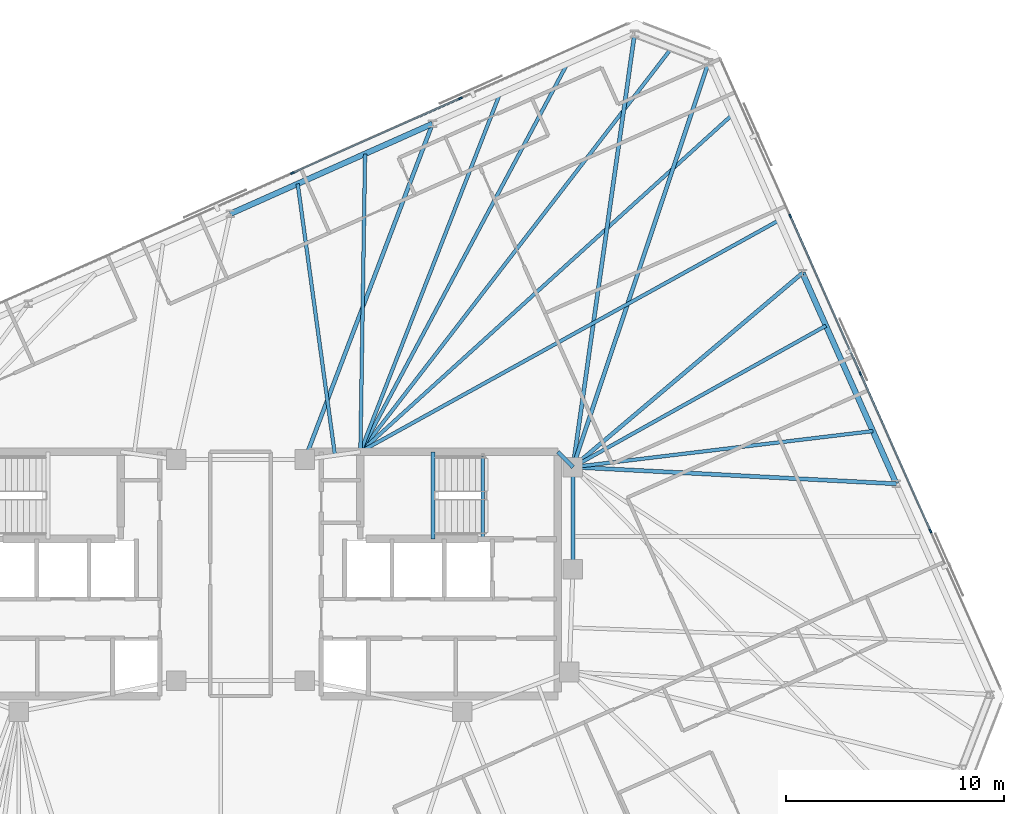
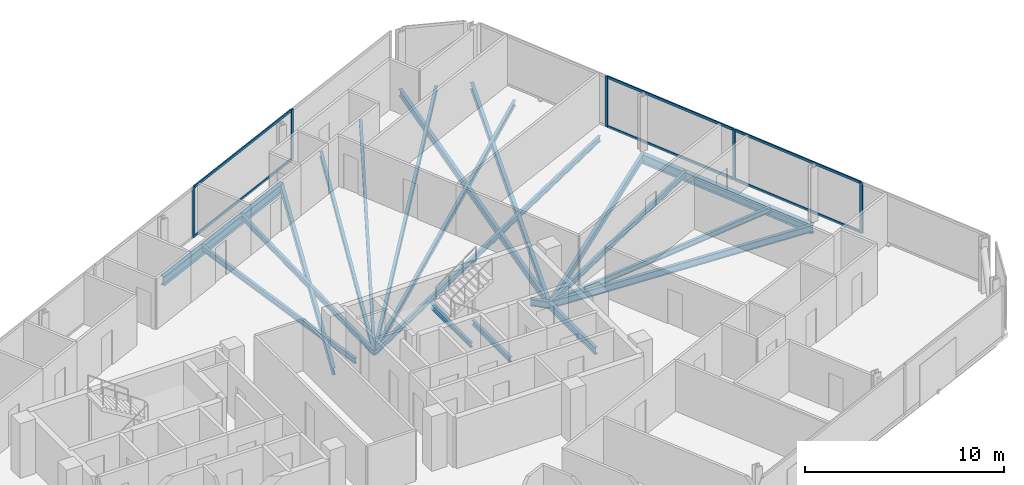
# One storey, part 10 of 18: 20 beams, 11 members, 2 elements without a shape of their own.
"""IFC4 building model written with IfcOpenShell, lengths in metres."""

from ifc_helpers import new_model, si_unit, direction, frame, origin, origin_2d, place, context, subcontext, project, spatial, rectangle, i_section, extrude, material, material_profile, profile_set, type_object, element, aggregate, save


model = new_model("IFC4")

# Units and contexts
model_context = context("Model", 3, precision=1e-05, world=origin(), true_north=direction((0.0, 1.0)))
body_context = subcontext(model_context, "Body", "Model", "MODEL_VIEW")
ifc_project = project(units=[si_unit("LENGTHUNIT", "METRE"), si_unit("AREAUNIT", "SQUARE_METRE"), si_unit("VOLUMEUNIT", "CUBIC_METRE"), si_unit("PLANEANGLEUNIT", "RADIAN"), si_unit("MASSUNIT", "GRAM", prefix="KILO")], contexts=[model_context])

# Site, building, storey
site_placement = place(None, origin())
site = spatial("IfcSite", under=ifc_project, at=site_placement, CompositionType="ELEMENT")
building_placement = place(site_placement, origin())
building = spatial("IfcBuilding", under=site, at=building_placement, Name="Menara Jurai Vektor", CompositionType="ELEMENT")
storey_placement = place(building_placement, frame((0.0, 0.0, 272.25)))
storey = spatial("IfcBuildingStorey", under=building, at=storey_placement, Name="L73", CompositionType="ELEMENT", Elevation=272.25)

# Curtain wall, members
ifc_material_1 = material(Name="Anodised Pale Aluminium & Low-E Double Glazing", Category="aluminium")
curtain_wall_type = type_object("IfcCurtainWallType", Name="CW-BLK5", PredefinedType="NOTDEFINED", material=ifc_material_1)
curtain_wall_1_placement = place(storey_placement, origin())
curtain_wall_1 = element("IfcCurtainWall", 1, at=curtain_wall_1_placement, inside=storey, type_object=curtain_wall_type, Name="Unitised Curtain Wall L73 F03", PredefinedType="NOTDEFINED")
ifc_material_2 = material(Name="Anodised Pale Aluminium Mullion", Category="aluminium")
ifc_material_profile_1 = material_profile(ifc_material_2, rectangle(XDim=0.074951171875, YDim=0.175048828125, at=origin_2d()), Name="ALU MUL 75x175")
ifc_profile_set_1 = profile_set([ifc_material_profile_1], Name="Anodised Pale Aluminium Mullion")
member_type_1 = type_object("IfcMemberType", Name="CW-BLK5-MUL", PredefinedType="MULLION", material=ifc_profile_set_1)
member_1_placement = place(storey_placement, frame((31.6533203125, 1.9658203125, 0.0), z_axis=(0.0, 0.0, 1.0), x_axis=(-0.913546127706, -0.406735138086, 0.0)))
member_1 = element("IfcMember", 2, at=member_1_placement, type_object=member_type_1, Name="CW-05 mullion 2", PredefinedType="MULLION", context=body_context, shape_type="SweptSolid", body=[
    extrude(rectangle(XDim=0.074951171875, YDim=0.175048828125, at=origin_2d()), origin(), (0.0, 0.0, 1.0), 3.10009765625),
])
member_2_placement = place(storey_placement, frame((28.43603515625, 9.19189453125, 0.0), z_axis=(0.0, 0.0, 1.0), x_axis=(-0.913546127706, -0.406735138086, 0.0)))
member_2 = element("IfcMember", 3, at=member_2_placement, type_object=member_type_1, Name="CW-05 mullion 3", PredefinedType="MULLION", context=body_context, shape_type="SweptSolid", body=[
    extrude(rectangle(XDim=0.074951171875, YDim=0.175048828125, at=origin_2d()), origin(), (0.0, 0.0, 1.0), 3.10009765625),
])
member_3_placement = place(storey_placement, frame((25.21875, 16.418212890625, 0.0), z_axis=(0.0, 0.0, 1.0), x_axis=(-0.913546127706, -0.406735138086, 0.0)))
member_3 = element("IfcMember", 4, at=member_3_placement, type_object=member_type_1, Name="CW-05 mullion 4", PredefinedType="MULLION", context=body_context, shape_type="SweptSolid", body=[
    extrude(rectangle(XDim=0.074951171875, YDim=0.175048828125, at=origin_2d()), origin(), (0.0, 0.0, 1.0), 3.10009765625),
])

curtain_wall_2_placement = place(storey_placement, origin())
curtain_wall_2 = element("IfcCurtainWall", 5, at=curtain_wall_2_placement, inside=storey, type_object=curtain_wall_type, Name="Unitised Curtain Wall L73 F05", PredefinedType="NOTDEFINED")
member_4_placement = place(storey_placement, frame((10.0927734375, 21.822998046875, 0.0), z_axis=(0.0, 0.0, 1.0), x_axis=(0.406735498684, -0.913545967158, 0.0)))
member_4 = element("IfcMember", 6, at=member_4_placement, type_object=member_type_1, Name="CW-05 mullion 2", PredefinedType="MULLION", context=body_context, shape_type="SweptSolid", body=[
    extrude(rectangle(XDim=0.074951171875, YDim=0.175048828125, at=origin_2d()), origin(), (0.0, 0.0, 1.0), 3.10009765625),
])
member_5_placement = place(storey_placement, frame((2.38232421875, 18.39013671875, 0.0), z_axis=(0.0, 0.0, 1.0), x_axis=(0.406735498684, -0.913545967158, 0.0)))
member_5 = element("IfcMember", 7, at=member_5_placement, type_object=member_type_1, Name="CW-05 mullion 3", PredefinedType="MULLION", context=body_context, shape_type="SweptSolid", body=[
    extrude(rectangle(XDim=0.074951171875, YDim=0.175048828125, at=origin_2d()), origin(), (0.0, 0.0, 1.0), 3.10009765625),
])

# Member
ifc_material_3 = material(Name="Anodised Pale Aluminium Transom", Category="aluminium")
ifc_material_profile_2 = material_profile(ifc_material_3, rectangle(XDim=0.074951171875, YDim=0.155029296875, at=origin_2d()), Name="ALU TRN 75x155")
ifc_profile_set_2 = profile_set([ifc_material_profile_2], Name="Anodised Pale Aluminium Transom")
member_type_2 = type_object("IfcMemberType", Name="CW-BLK5-TRN", PredefinedType="USERDEFINED", material=ifc_profile_set_2)
member_6_placement = place(storey_placement, frame((31.63818359375, 2.0, 0.03759765625), z_axis=(-0.406731062496, 0.913547942256, 0.0), x_axis=(-0.913547942256, -0.406731062496, 0.0)))
member_6 = element("IfcMember", 8, at=member_6_placement, type_object=member_type_2, Name="CW-05 transom 2.1", ObjectType="TRANSOM", PredefinedType="USERDEFINED", context=body_context, shape_type="SweptSolid", body=[
    extrude(rectangle(XDim=0.074951171875, YDim=0.155029296875, at=origin_2d()), origin(), (0.0, 0.0, 1.0), 7.8349609375),
])

member_7_placement = place(storey_placement, frame((31.63818359375, 2.0, 3.0625), z_axis=(-0.406731062496, 0.913547942256, 0.0), x_axis=(-0.913547942256, -0.406731062496, 0.0)))
member_7 = element("IfcMember", 9, at=member_7_placement, type_object=member_type_2, Name="CW-05 transom 2.2", ObjectType="TRANSOM", PredefinedType="USERDEFINED", context=body_context, shape_type="SweptSolid", body=[
    extrude(rectangle(XDim=0.074951171875, YDim=0.155029296875, at=origin_2d()), origin(), (0.0, 0.0, 1.0), 7.8349609375),
])

member_8_placement = place(storey_placement, frame((28.4208984375, 9.226318359375, 0.03759765625), z_axis=(-0.40674264085, 0.913542787238, 0.0), x_axis=(-0.913542787238, -0.40674264085, 0.0)))
member_8 = element("IfcMember", 10, at=member_8_placement, type_object=member_type_2, Name="CW-05 transom 3.1", ObjectType="TRANSOM", PredefinedType="USERDEFINED", context=body_context, shape_type="SweptSolid", body=[
    extrude(rectangle(XDim=0.074951171875, YDim=0.155029296875, at=origin_2d()), origin(), (0.0, 0.0, 1.0), 7.8349609375),
])

member_9_placement = place(storey_placement, frame((28.4208984375, 9.226318359375, 3.0625), z_axis=(-0.40674264085, 0.913542787238, 0.0), x_axis=(-0.913542787238, -0.40674264085, 0.0)))
member_9 = element("IfcMember", 11, at=member_9_placement, type_object=member_type_2, Name="CW-05 transom 3.2", ObjectType="TRANSOM", PredefinedType="USERDEFINED", context=body_context, shape_type="SweptSolid", body=[
    extrude(rectangle(XDim=0.074951171875, YDim=0.155029296875, at=origin_2d()), origin(), (0.0, 0.0, 1.0), 7.8349609375),
])

aggregate(curtain_wall_1, [member_1, member_2, member_3, member_6, member_7, member_8, member_9])

member_10_placement = place(storey_placement, frame((10.058349609375, 21.807861328125, 0.03759765625), z_axis=(-0.913546575494, -0.406734132331, 0.0), x_axis=(0.406734132331, -0.913546575494, 0.0)))
member_10 = element("IfcMember", 12, at=member_10_placement, type_object=member_type_2, Name="CW-05 transom 2.1", ObjectType="TRANSOM", PredefinedType="USERDEFINED", context=body_context, shape_type="SweptSolid", body=[
    extrude(rectangle(XDim=0.074951171875, YDim=0.155029296875, at=origin_2d()), origin(), (0.0, 0.0, 1.0), 8.364990234375),
])

member_11_placement = place(storey_placement, frame((10.058349609375, 21.807861328125, 3.0625), z_axis=(-0.913546575494, -0.406734132331, 0.0), x_axis=(0.406734132331, -0.913546575494, 0.0)))
member_11 = element("IfcMember", 13, at=member_11_placement, type_object=member_type_2, Name="CW-05 transom 2.2", ObjectType="TRANSOM", PredefinedType="USERDEFINED", context=body_context, shape_type="SweptSolid", body=[
    extrude(rectangle(XDim=0.074951171875, YDim=0.155029296875, at=origin_2d()), origin(), (0.0, 0.0, 1.0), 8.364990234375),
])

aggregate(curtain_wall_2, [member_4, member_5, member_10, member_11])

# Beams
ifc_material_4 = material(Name="Steel S355", Category="steel")
ifc_material_profile_3 = material_profile(ifc_material_4, i_section(OverallWidth=0.18505859375, OverallDepth=0.429931640625, WebThickness=0.010986328125, FlangeThickness=0.01806640625, at=origin_2d()), Name="PG 430x185x76")
ifc_profile_set_3 = profile_set([ifc_material_profile_3], Name="Steel S355")
beam_type_1 = type_object("IfcBeamType", Name="STR-BM-430", PredefinedType="BEAM", material=ifc_profile_set_3)
beam_1_placement = place(storey_placement, frame((14.56005859375, 5.60009765625, -0.43994140625), z_axis=(0.701871936926, -0.712303154672, 0.0), x_axis=(0.712303154672, 0.701871936926, 0.0)))
element("IfcBeam", 14, at=beam_1_placement, inside=storey, type_object=beam_type_1, Name="Core Ring Header Girder L73-CHE-N2", PredefinedType="BEAM", context=body_context, shape_type="SweptSolid", body=[
    extrude(i_section(OverallWidth=0.18505859375, OverallDepth=0.429931640625, WebThickness=0.010986328125, FlangeThickness=0.01806640625, at=origin_2d()), origin(), (0.0, 0.0, 1.0), 0.98291015625),
])
beam_2_placement = place(storey_placement, frame((15.25, 0.219970703125, -0.43994140625), z_axis=(0.0, 1.0, 0.0), x_axis=(-1.0, 0.0, 0.0)))
element("IfcBeam", 15, at=beam_2_placement, inside=storey, type_object=beam_type_1, Name="Core Ring Header Girder L73-CHE-E1", PredefinedType="BEAM", context=body_context, shape_type="SweptSolid", body=[
    extrude(i_section(OverallWidth=0.18505859375, OverallDepth=0.429931640625, WebThickness=0.010986328125, FlangeThickness=0.01806640625, at=origin_2d()), origin(), (0.0, 0.0, 1.0), 4.679931640625),
])
beam_3_placement = place(storey_placement, frame((30.086181640625, 4.13330078125, -0.43994140625), z_axis=(-0.998667716832, 0.051602241782, 0.0), x_axis=(-0.051602241782, -0.998667716832, 0.0)))
element("IfcBeam", 16, at=beam_3_placement, inside=storey, type_object=beam_type_1, Name="Radial Floor Girder L73-E2", PredefinedType="BEAM", context=body_context, shape_type="SweptSolid", body=[
    extrude(i_section(OverallWidth=0.18505859375, OverallDepth=0.429931640625, WebThickness=0.010986328125, FlangeThickness=0.01806640625, at=origin_2d()), origin(), (0.0, 0.0, 1.0), 14.85595703125),
])
beam_4_placement = place(storey_placement, frame((25.781005859375, 13.80322265625, -0.43994140625), z_axis=(-0.763655500673, -0.6456239434, 0.0), x_axis=(0.6456239434, -0.763655500673, 0.0)))
element("IfcBeam", 17, at=beam_4_placement, inside=storey, type_object=beam_type_1, Name="Radial Floor Girder L73-E3", PredefinedType="BEAM", context=body_context, shape_type="SweptSolid", body=[
    extrude(i_section(OverallWidth=0.18505859375, OverallDepth=0.429931640625, WebThickness=0.010986328125, FlangeThickness=0.01806640625, at=origin_2d()), origin(), (0.0, 0.0, 1.0), 13.790283203125),
])
beam_5_placement = place(storey_placement, frame((21.4755859375, 23.473388671875, -0.43994140625), z_axis=(-0.317808893183, -0.948154790851, 0.0), x_axis=(0.948154790851, -0.317808893183, 0.0)))
element("IfcBeam", 18, at=beam_5_placement, inside=storey, type_object=beam_type_1, Name="Radial Floor Girder L73-E4", PredefinedType="BEAM", context=body_context, shape_type="SweptSolid", body=[
    extrude(i_section(OverallWidth=0.18505859375, OverallDepth=0.429931640625, WebThickness=0.010986328125, FlangeThickness=0.01806640625, at=origin_2d()), origin(), (0.0, 0.0, 1.0), 19.589111328125),
])
beam_6_placement = place(storey_placement, frame((18.07958984375, 24.777099609375, -0.43994140625), z_axis=(-0.140932755913, -0.990019170678, 0.0), x_axis=(0.990019170678, -0.140932755913, 0.0)))
element("IfcBeam", 19, at=beam_6_placement, inside=storey, type_object=beam_type_1, Name="Radial Floor Girder L73-N1", PredefinedType="BEAM", context=body_context, shape_type="SweptSolid", body=[
    extrude(i_section(OverallWidth=0.18505859375, OverallDepth=0.429931640625, WebThickness=0.010986328125, FlangeThickness=0.01806640625, at=origin_2d()), origin(), (0.0, 0.0, 1.0), 20.07763671875),
])
beam_7_placement = place(storey_placement, frame((8.805908203125, 20.648193359375, -0.43994140625), z_axis=(-0.355464051758, -0.934689952823, 0.0), x_axis=(0.934689952823, -0.355464051758, 0.0)))
element("IfcBeam", 20, at=beam_7_placement, inside=storey, type_object=beam_type_1, Name="Radial Floor Girder L73-N2", PredefinedType="BEAM", context=body_context, shape_type="SweptSolid", body=[
    extrude(i_section(OverallWidth=0.18505859375, OverallDepth=0.429931640625, WebThickness=0.010986328125, FlangeThickness=0.01806640625, at=origin_2d()), origin(), (0.0, 0.0, 1.0), 16.47412109375),
])
ifc_material_profile_4 = material_profile(ifc_material_4, i_section(OverallWidth=0.1650390625, OverallDepth=0.330078125, WebThickness=0.009033203125, FlangeThickness=0.013916015625, at=origin_2d()), Name="PG 330x165x46")
ifc_profile_set_4 = profile_set([ifc_material_profile_4], Name="Steel S355")
beam_type_2 = type_object("IfcBeamType", Name="STR-JS-330", PredefinedType="JOIST", material=ifc_profile_set_4)
beam_8_placement = place(storey_placement, frame((29.010009765625, 6.55078125, -0.389892578125), z_axis=(-0.992879589053, -0.119122296999, 0.0), x_axis=(0.119122296999, -0.992879589053, 0.0)))
element("IfcBeam", 21, at=beam_8_placement, inside=storey, type_object=beam_type_2, Name="Radial Secondary Floor Joist L73-JS10", PredefinedType="JOIST", context=body_context, shape_type="SweptSolid", body=[
    extrude(i_section(OverallWidth=0.1650390625, OverallDepth=0.330078125, WebThickness=0.009033203125, FlangeThickness=0.013916015625, at=origin_2d()), origin(), (0.0, 0.0, 1.0), 13.858642578125),
])
beam_9_placement = place(storey_placement, frame((26.857177734375, 11.3857421875, -0.389892578125), z_axis=(-0.872960269613, -0.487791315705, 0.0), x_axis=(0.487791315705, -0.872960269613, 0.0)))
element("IfcBeam", 22, at=beam_9_placement, inside=storey, type_object=beam_type_2, Name="Radial Secondary Floor Joist L73-JS11", PredefinedType="JOIST", context=body_context, shape_type="SweptSolid", body=[
    extrude(i_section(OverallWidth=0.1650390625, OverallDepth=0.330078125, WebThickness=0.009033203125, FlangeThickness=0.013916015625, at=origin_2d()), origin(), (0.0, 0.0, 1.0), 13.29638671875),
])
beam_10_placement = place(storey_placement, frame((24.70458984375, 16.220703125, -0.389892578125), z_axis=(-0.87509599458, -0.483949377797, 0.0), x_axis=(0.483949377797, -0.87509599458, 0.0)))
element("IfcBeam", 23, at=beam_10_placement, inside=storey, type_object=beam_type_2, Name="Radial Secondary Floor Joist L73-JS12", PredefinedType="JOIST", context=body_context, shape_type="SweptSolid", body=[
    extrude(i_section(OverallWidth=0.1650390625, OverallDepth=0.330078125, WebThickness=0.009033203125, FlangeThickness=0.013916015625, at=origin_2d()), origin(), (0.0, 0.0, 1.0), 21.94580078125),
])
beam_11_placement = place(storey_placement, frame((22.552001953125, 21.055908203125, -0.389892578125), z_axis=(-0.74093432875, -0.67157748658, 0.0), x_axis=(0.67157748658, -0.74093432875, 0.0)))
element("IfcBeam", 24, at=beam_11_placement, inside=storey, type_object=beam_type_2, Name="Radial Secondary Floor Joist L73-JS13", PredefinedType="JOIST", context=body_context, shape_type="SweptSolid", body=[
    extrude(i_section(OverallWidth=0.1650390625, OverallDepth=0.330078125, WebThickness=0.009033203125, FlangeThickness=0.013916015625, at=origin_2d()), origin(), (0.0, 0.0, 1.0), 23.01416015625),
])
beam_12_placement = place(storey_placement, frame((19.777587890625, 24.125244140625, -0.389892578125), z_axis=(-0.610448519134, -0.792055935832, 0.0), x_axis=(0.792055935832, -0.610448519134, 0.0)))
element("IfcBeam", 25, at=beam_12_placement, inside=storey, type_object=beam_type_2, Name="Radial Secondary Floor Joist L73-JS14", PredefinedType="JOIST", context=body_context, shape_type="SweptSolid", body=[
    extrude(i_section(OverallWidth=0.1650390625, OverallDepth=0.330078125, WebThickness=0.009033203125, FlangeThickness=0.013916015625, at=origin_2d()), origin(), (0.0, 0.0, 1.0), 23.388671875),
])
beam_13_placement = place(storey_placement, frame((14.98828125, 23.400634765625, -0.389892578125), z_axis=(-0.470382173413, -0.882462809945, 0.0), x_axis=(0.882462809945, -0.470382173413, 0.0)))
element("IfcBeam", 26, at=beam_13_placement, inside=storey, type_object=beam_type_2, Name="Radial Secondary Floor Joist L73-JS15", PredefinedType="JOIST", context=body_context, shape_type="SweptSolid", body=[
    extrude(i_section(OverallWidth=0.1650390625, OverallDepth=0.330078125, WebThickness=0.009033203125, FlangeThickness=0.013916015625, at=origin_2d()), origin(), (0.0, 0.0, 1.0), 20.17138671875),
])
beam_14_placement = place(storey_placement, frame((11.897216796875, 22.0244140625, -0.389892578125), z_axis=(-0.36293816309, -0.931813226872, 0.0), x_axis=(0.931813226872, -0.36293816309, 0.0)))
element("IfcBeam", 27, at=beam_14_placement, inside=storey, type_object=beam_type_2, Name="Radial Secondary Floor Joist L73-JS16", PredefinedType="JOIST", context=body_context, shape_type="SweptSolid", body=[
    extrude(i_section(OverallWidth=0.1650390625, OverallDepth=0.330078125, WebThickness=0.009033203125, FlangeThickness=0.013916015625, at=origin_2d()), origin(), (0.0, 0.0, 1.0), 17.626220703125),
])
beam_15_placement = place(storey_placement, frame((5.71484375, 19.27197265625, -0.389892578125), z_axis=(-0.01571234584, -0.999876553475, 0.0), x_axis=(0.999876553475, -0.01571234584, 0.0)))
element("IfcBeam", 28, at=beam_15_placement, inside=storey, type_object=beam_type_2, Name="Radial Secondary Floor Joist L73-JS17", PredefinedType="JOIST", context=body_context, shape_type="SweptSolid", body=[
    extrude(i_section(OverallWidth=0.1650390625, OverallDepth=0.330078125, WebThickness=0.009033203125, FlangeThickness=0.013916015625, at=origin_2d()), origin(), (0.0, 0.0, 1.0), 13.673583984375),
])
beam_16_placement = place(storey_placement, frame((2.62353515625, 17.8955078125, -0.389892578125), z_axis=(0.13599011119, -0.990710194587, 0.0), x_axis=(0.990710194587, 0.13599011119, 0.0)))
element("IfcBeam", 29, at=beam_16_placement, inside=storey, type_object=beam_type_2, Name="Radial Secondary Floor Joist L73-JS18", PredefinedType="JOIST", context=body_context, shape_type="SweptSolid", body=[
    extrude(i_section(OverallWidth=0.1650390625, OverallDepth=0.330078125, WebThickness=0.009033203125, FlangeThickness=0.013916015625, at=origin_2d()), origin(), (0.0, 0.0, 1.0), 12.572265625),
])
ifc_material_profile_5 = material_profile(ifc_material_4, i_section(OverallWidth=0.1650390625, OverallDepth=0.302978515625, WebThickness=0.006103515625, FlangeThickness=0.010009765625, FilletRadius=0.009033203125, at=origin_2d()), Name="UKB 305x165x40")
ifc_profile_set_5 = profile_set([ifc_material_profile_5], Name="Steel S355")
beam_type_3 = type_object("IfcBeamType", Name="STR-LN-305", PredefinedType="LINTEL", material=ifc_profile_set_5)
beam_17_placement = place(storey_placement, frame((11.1201171875, 1.60009765625, -0.37646484375), z_axis=(0.0, 1.0, 0.0), x_axis=(-1.0, 0.0, 0.0)))
element("IfcBeam", 30, at=beam_17_placement, inside=storey, type_object=beam_type_3, Name="Stair Well Floor Trimmer ST2 L73", PredefinedType="LINTEL", context=body_context, shape_type="SweptSolid", body=[
    extrude(i_section(OverallWidth=0.1650390625, OverallDepth=0.302978515625, WebThickness=0.006103515625, FlangeThickness=0.010009765625, FilletRadius=0.009033203125, at=origin_2d()), origin(), (0.0, 0.0, 1.0), 3.81982421875),
])
beam_18_placement = place(storey_placement, frame((8.830078125, 1.60009765625, 1.323486328125), z_axis=(0.0, 1.0, 0.0), x_axis=(-1.0, 0.0, 0.0)))
element("IfcBeam", 31, at=beam_18_placement, inside=storey, type_object=beam_type_3, Name="Stair Half-Landing Nosing Trimmer ST2-1 L73", PredefinedType="LINTEL", context=body_context, shape_type="SweptSolid", body=[
    extrude(i_section(OverallWidth=0.1650390625, OverallDepth=0.302978515625, WebThickness=0.006103515625, FlangeThickness=0.010009765625, FilletRadius=0.009033203125, at=origin_2d()), origin(), (0.0, 0.0, 1.0), 4.0),
])
ifc_material_profile_6 = material_profile(ifc_material_4, i_section(OverallWidth=0.260009765625, OverallDepth=0.570068359375, WebThickness=0.013916015625, FlangeThickness=0.02392578125, at=origin_2d()), Name="PG 570x260x145")
ifc_profile_set_6 = profile_set([ifc_material_profile_6], Name="Steel S355")
beam_type_4 = type_object("IfcBeamType", Name="STR-SP-570", PredefinedType="SPANDREL", material=ifc_profile_set_6)
beam_19_placement = place(storey_placement, frame((30.086181640625, 4.13330078125, -0.510009765625), z_axis=(-0.406724751578, 0.913550751986, 0.0), x_axis=(-0.913550751986, -0.406724751578, 0.0)))
element("IfcBeam", 32, at=beam_19_placement, inside=storey, type_object=beam_type_4, Name="Exoskeleton Spandrel Beam L73-08", PredefinedType="SPANDREL", context=body_context, shape_type="SweptSolid", body=[
    extrude(i_section(OverallWidth=0.260009765625, OverallDepth=0.570068359375, WebThickness=0.013916015625, FlangeThickness=0.02392578125, at=origin_2d()), origin(), (0.0, 0.0, 1.0), 10.5849609375),
])
beam_20_placement = place(storey_placement, frame((8.805908203125, 20.648193359375, -0.510009765625), z_axis=(-0.913541582548, -0.406745346568, 0.0), x_axis=(0.406745346568, -0.913541582548, 0.0)))
element("IfcBeam", 33, at=beam_20_placement, inside=storey, type_object=beam_type_4, Name="Exoskeleton Spandrel Beam L73-12", PredefinedType="SPANDREL", context=body_context, shape_type="SweptSolid", body=[
    extrude(i_section(OverallWidth=0.260009765625, OverallDepth=0.570068359375, WebThickness=0.013916015625, FlangeThickness=0.02392578125, at=origin_2d()), origin(), (0.0, 0.0, 1.0), 10.151123046875),
])

save(model, "model.ifc")
